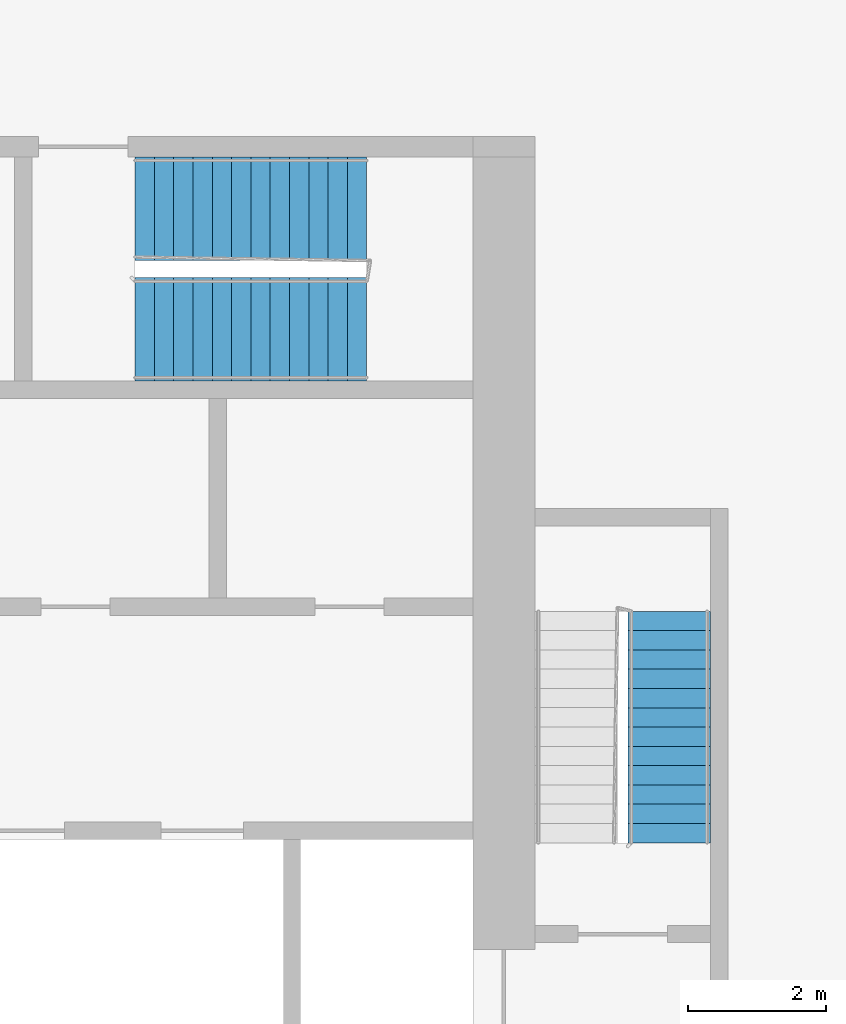
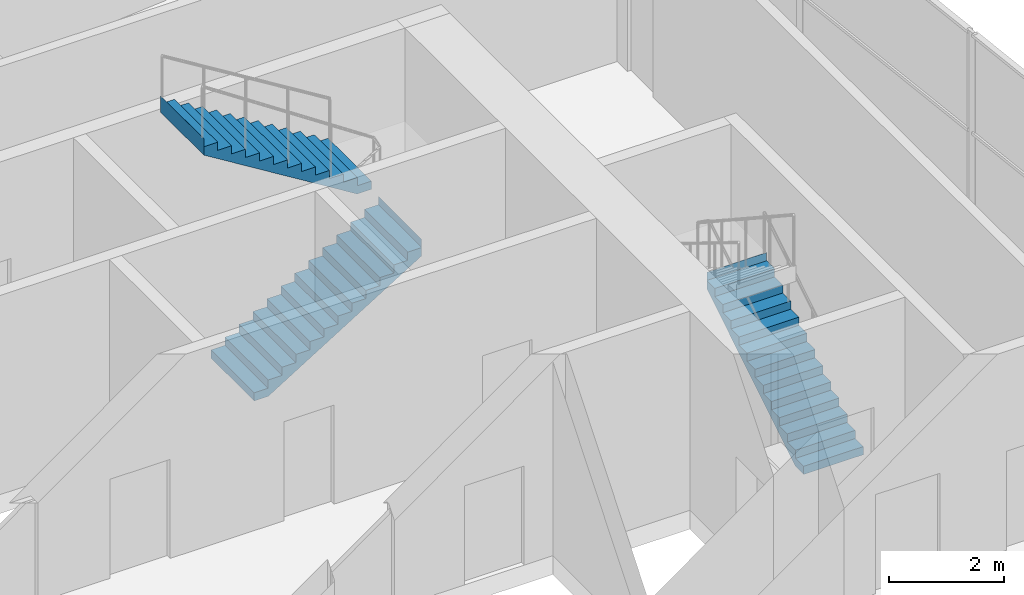
# One storey, part 20 of 21: 3 stair flights, 2 elements without a shape of their own.
"""IFC4 building model written with IfcOpenShell, lengths in metres."""

from ifc_helpers import new_model, si_unit, direction, frame, origin, place, context, subcontext, project, spatial, faceted_brep, material, type_object, element, aggregate, save


model = new_model("IFC4")

# Units and contexts
model_context = context("Model", 3, precision=1e-05, world=origin(), true_north=direction((0.0, 1.0)))
body_context = subcontext(model_context, "Body", "Model", "MODEL_VIEW")
ifc_project = project(units=[si_unit("LENGTHUNIT", "METRE"), si_unit("AREAUNIT", "SQUARE_METRE"), si_unit("VOLUMEUNIT", "CUBIC_METRE"), si_unit("PLANEANGLEUNIT", "RADIAN"), si_unit("MASSUNIT", "GRAM", prefix="KILO")], contexts=[model_context])

# Site, building, storey
site_placement = place(None, origin())
site = spatial("IfcSite", under=ifc_project, at=site_placement, CompositionType="ELEMENT")
building_placement = place(site_placement, origin())
building = spatial("IfcBuilding", under=site, at=building_placement, Name="Kajstack Hotel Tower", CompositionType="ELEMENT")
storey_placement = place(building_placement, frame((0.0, 0.0, 162.39990234375)))
storey = spatial("IfcBuildingStorey", under=building, at=storey_placement, Name="L37", CompositionType="ELEMENT", Elevation=162.39990234375)

# Stair, stair flight
ifc_material = material(Name="Concrete C40/50", Category="concrete")
stair_type_1 = type_object("IfcStairType", Name="Exit stair 1200", PredefinedType="HALF_TURN_STAIR", material=ifc_material)
stair_1_placement = place(storey_placement, origin())
stair_1 = element("IfcStair", 1, at=stair_1_placement, inside=storey, type_object=stair_type_1, Name="L37 stair E1", PredefinedType="HALF_TURN_STAIR")
stair_flight_type_1 = type_object("IfcStairFlightType", Name="Exit stair flight 1200", PredefinedType="STRAIGHT", material=ifc_material)
stair_flight_1_placement = place(storey_placement, frame((33.449951171875, 5.25, 0.0), z_axis=(0.0, 0.0, 1.0), x_axis=(0.0, 1.0, 0.0)))
stair_flight_1 = element("IfcStairFlight", 2, at=stair_flight_1_placement, type_object=stair_flight_type_1, Name="E1 flight 1", NumberOfRisers=13, NumberOfTreads=12, PredefinedType="STRAIGHT", RiserHeight=0.173076923, TreadLength=0.28, context=body_context, shape_type="Brep", body=[
    faceted_brep([(0.28564453125, -0.60009765625, 0.0), (3.360595703125, -0.60009765625, 1.900634765625), (3.360595703125, -0.60009765625, 2.25), (3.360107421875, -0.60009765625, 2.25), (3.360107421875, -0.60009765625, 2.076904296875), (3.080078125, -0.60009765625, 2.076904296875), (3.080078125, -0.60009765625, 1.90380859375), (2.800048828125, -0.60009765625, 1.90380859375), (2.800048828125, -0.60009765625, 1.730712890625), (2.52001953125, -0.60009765625, 1.730712890625), (2.52001953125, -0.60009765625, 1.5576171875), (2.239990234375, -0.60009765625, 1.5576171875), (2.239990234375, -0.60009765625, 1.384521484375), (1.9599609375, -0.60009765625, 1.384521484375), (1.9599609375, -0.60009765625, 1.21142578125), (1.679931640625, -0.60009765625, 1.21142578125), (1.679931640625, -0.60009765625, 1.03857421875), (1.39990234375, -0.60009765625, 1.03857421875), (1.39990234375, -0.60009765625, 0.865478515625), (1.1201171875, -0.60009765625, 0.865478515625), (1.1201171875, -0.60009765625, 0.6923828125), (0.840087890625, -0.60009765625, 0.6923828125), (0.840087890625, -0.60009765625, 0.519287109375), (0.56005859375, -0.60009765625, 0.519287109375), (0.56005859375, -0.60009765625, 0.34619140625), (0.280029296875, -0.60009765625, 0.34619140625), (0.280029296875, -0.60009765625, 0.173095703125), (-0.00048828125, -0.60009765625, 0.173095703125), (-0.00048828125, -0.60009765625, 0.0), (-0.00048828125, 0.60009765625, 0.0), (-0.00048828125, 0.60009765625, 0.173095703125), (0.280029296875, 0.60009765625, 0.173095703125), (0.280029296875, 0.60009765625, 0.34619140625), (0.56005859375, 0.60009765625, 0.34619140625), (0.56005859375, 0.60009765625, 0.519287109375), (0.840087890625, 0.60009765625, 0.519287109375), (0.840087890625, 0.60009765625, 0.6923828125), (1.1201171875, 0.60009765625, 0.6923828125), (1.1201171875, 0.60009765625, 0.865478515625), (1.39990234375, 0.60009765625, 0.865478515625), (1.39990234375, 0.60009765625, 1.03857421875), (1.679931640625, 0.60009765625, 1.03857421875), (1.679931640625, 0.60009765625, 1.21142578125), (1.9599609375, 0.60009765625, 1.21142578125), (1.9599609375, 0.60009765625, 1.384521484375), (2.239990234375, 0.60009765625, 1.384521484375), (2.239990234375, 0.60009765625, 1.5576171875), (2.52001953125, 0.60009765625, 1.5576171875), (2.52001953125, 0.60009765625, 1.730712890625), (2.800048828125, 0.60009765625, 1.730712890625), (2.800048828125, 0.60009765625, 1.90380859375), (3.080078125, 0.60009765625, 1.90380859375), (3.080078125, 0.60009765625, 2.076904296875), (3.360107421875, 0.60009765625, 2.076904296875), (3.360107421875, 0.60009765625, 2.25), (3.360595703125, 0.60009765625, 2.25), (3.360595703125, 0.60009765625, 1.900634765625), (0.28564453125, 0.60009765625, 0.0), (-0.00048828125, -0.300048828125, 0.173095703125), (-0.00048828125, 0.0, 0.173095703125), (-0.00048828125, 0.300048828125, 0.173095703125), (-0.00048828125, 0.300048828125, 0.0), (-0.00048828125, 0.0, 0.0), (-0.00048828125, -0.300048828125, 0.0), (0.280029296875, -0.300048828125, 0.173095703125), (0.280029296875, 0.0, 0.173095703125), (0.280029296875, 0.300048828125, 0.173095703125), (0.280029296875, -0.300048828125, 0.34619140625), (0.280029296875, 0.0, 0.34619140625), (0.280029296875, 0.300048828125, 0.34619140625), (0.56005859375, -0.300048828125, 0.34619140625), (0.56005859375, 0.0, 0.34619140625), (0.56005859375, 0.300048828125, 0.34619140625), (0.56005859375, -0.300048828125, 0.519287109375), (0.56005859375, 0.0, 0.519287109375), (0.56005859375, 0.300048828125, 0.519287109375), (0.840087890625, -0.300048828125, 0.519287109375), (0.840087890625, 0.0, 0.519287109375), (0.840087890625, 0.300048828125, 0.519287109375), (0.840087890625, -0.300048828125, 0.6923828125), (0.840087890625, 0.0, 0.6923828125), (0.840087890625, 0.300048828125, 0.6923828125), (1.1201171875, -0.300048828125, 0.6923828125), (1.1201171875, 0.0, 0.6923828125), (1.1201171875, 0.300048828125, 0.6923828125), (1.1201171875, -0.300048828125, 0.865478515625), (1.1201171875, 0.0, 0.865478515625), (1.1201171875, 0.300048828125, 0.865478515625), (1.39990234375, -0.300048828125, 0.865478515625), (1.39990234375, 0.0, 0.865478515625), (1.39990234375, 0.300048828125, 0.865478515625), (1.39990234375, -0.300048828125, 1.03857421875), (1.39990234375, 0.0, 1.03857421875), (1.39990234375, 0.300048828125, 1.03857421875), (1.679931640625, -0.300048828125, 1.03857421875), (1.679931640625, 0.0, 1.03857421875), (1.679931640625, 0.300048828125, 1.03857421875), (1.679931640625, -0.300048828125, 1.21142578125), (1.679931640625, 0.0, 1.21142578125), (1.679931640625, 0.300048828125, 1.21142578125), (1.9599609375, -0.300048828125, 1.21142578125), (1.9599609375, 0.0, 1.21142578125), (1.9599609375, 0.300048828125, 1.21142578125), (1.9599609375, -0.300048828125, 1.384521484375), (1.9599609375, 0.0, 1.384521484375), (1.9599609375, 0.300048828125, 1.384521484375), (2.239990234375, -0.300048828125, 1.384521484375), (2.239990234375, 0.0, 1.384521484375), (2.239990234375, 0.300048828125, 1.384521484375), (2.239990234375, -0.300048828125, 1.5576171875), (2.239990234375, 0.0, 1.5576171875), (2.239990234375, 0.300048828125, 1.5576171875), (2.52001953125, -0.300048828125, 1.5576171875), (2.52001953125, 0.0, 1.5576171875), (2.52001953125, 0.300048828125, 1.5576171875), (2.52001953125, -0.300048828125, 1.730712890625), (2.52001953125, 0.0, 1.730712890625), (2.52001953125, 0.300048828125, 1.730712890625), (2.800048828125, -0.300048828125, 1.730712890625), (2.800048828125, 0.0, 1.730712890625), (2.800048828125, 0.300048828125, 1.730712890625), (2.800048828125, -0.300048828125, 1.90380859375), (2.800048828125, 0.0, 1.90380859375), (2.800048828125, 0.300048828125, 1.90380859375), (3.080078125, -0.300048828125, 1.90380859375), (3.080078125, 0.0, 1.90380859375), (3.080078125, 0.300048828125, 1.90380859375), (3.080078125, -0.300048828125, 2.076904296875), (3.080078125, 0.0, 2.076904296875), (3.080078125, 0.300048828125, 2.076904296875), (3.360107421875, -0.300048828125, 2.076904296875), (3.360107421875, 0.0, 2.076904296875), (3.360107421875, 0.300048828125, 2.076904296875), (3.360107421875, -0.300048828125, 2.25), (3.360107421875, 0.0, 2.25), (3.360107421875, 0.300048828125, 2.25), (3.360595703125, -0.300048828125, 2.25), (3.360595703125, 0.0, 2.25), (3.360595703125, 0.300048828125, 2.25), (3.360595703125, -0.300048828125, 1.900634765625), (3.360595703125, 0.0, 1.900634765625), (3.360595703125, 0.300048828125, 1.900634765625), (0.28564453125, -0.300048828125, 0.0), (0.28564453125, 0.0, 0.0), (0.28564453125, 0.300048828125, 0.0)], [[[0, 1, 2, 3, 4, 5, 6, 7, 8, 9, 10, 11, 12, 13, 14, 15, 16, 17, 18, 19, 20, 21, 22, 23, 24, 25, 26, 27, 28]], [[29, 30, 31, 32, 33, 34, 35, 36, 37, 38, 39, 40, 41, 42, 43, 44, 45, 46, 47, 48, 49, 50, 51, 52, 53, 54, 55, 56, 57]], [[27, 58, 59, 60, 30, 29, 61, 62, 63, 28]], [[26, 64, 65, 66, 31, 30, 60, 59, 58, 27]], [[25, 67, 68, 69, 32, 31, 66, 65, 64, 26]], [[24, 70, 71, 72, 33, 32, 69, 68, 67, 25]], [[23, 73, 74, 75, 34, 33, 72, 71, 70, 24]], [[22, 76, 77, 78, 35, 34, 75, 74, 73, 23]], [[21, 79, 80, 81, 36, 35, 78, 77, 76, 22]], [[20, 82, 83, 84, 37, 36, 81, 80, 79, 21]], [[19, 85, 86, 87, 38, 37, 84, 83, 82, 20]], [[18, 88, 89, 90, 39, 38, 87, 86, 85, 19]], [[17, 91, 92, 93, 40, 39, 90, 89, 88, 18]], [[16, 94, 95, 96, 41, 40, 93, 92, 91, 17]], [[15, 97, 98, 99, 42, 41, 96, 95, 94, 16]], [[14, 100, 101, 102, 43, 42, 99, 98, 97, 15]], [[13, 103, 104, 105, 44, 43, 102, 101, 100, 14]], [[12, 106, 107, 108, 45, 44, 105, 104, 103, 13]], [[11, 109, 110, 111, 46, 45, 108, 107, 106, 12]], [[10, 112, 113, 114, 47, 46, 111, 110, 109, 11]], [[9, 115, 116, 117, 48, 47, 114, 113, 112, 10]], [[8, 118, 119, 120, 49, 48, 117, 116, 115, 9]], [[7, 121, 122, 123, 50, 49, 120, 119, 118, 8]], [[6, 124, 125, 126, 51, 50, 123, 122, 121, 7]], [[5, 127, 128, 129, 52, 51, 126, 125, 124, 6]], [[4, 130, 131, 132, 53, 52, 129, 128, 127, 5]], [[3, 133, 134, 135, 54, 53, 132, 131, 130, 4]], [[2, 136, 137, 138, 55, 54, 135, 134, 133, 3]], [[1, 139, 140, 141, 56, 55, 138, 137, 136, 2]], [[0, 142, 143, 144, 57, 56, 141, 140, 139, 1]], [[28, 63, 62, 61, 29, 57, 144, 143, 142, 0]]]),
])
aggregate(stair_1, [stair_flight_1])

# Stair, stair flights
stair_type_2 = type_object("IfcStairType", Name="Exit stair 1500", PredefinedType="HALF_TURN_STAIR", material=ifc_material)
stair_2_placement = place(storey_placement, origin())
stair_2 = element("IfcStair", 3, at=stair_2_placement, inside=storey, type_object=stair_type_2, Name="L37 stair E3", PredefinedType="HALF_TURN_STAIR")
stair_flight_type_2 = type_object("IfcStairFlightType", Name="Exit stair flight 1500", PredefinedType="STRAIGHT", material=ifc_material)
stair_flight_2_placement = place(storey_placement, frame((25.699951171875, 12.699951171875, 0.0), z_axis=(0.0, 0.0, 1.0), x_axis=(1.0, 0.0, 0.0)))
stair_flight_2 = element("IfcStairFlight", 4, at=stair_flight_2_placement, type_object=stair_flight_type_2, Name="E3 flight 1", NumberOfRisers=13, NumberOfTreads=12, PredefinedType="STRAIGHT", RiserHeight=0.173076923, TreadLength=0.28, context=body_context, shape_type="Brep", body=[
    faceted_brep([(0.28564453125, -0.75, 0.0), (3.360595703125, -0.75, 1.900634765625), (3.360595703125, -0.75, 2.25), (3.360107421875, -0.75, 2.25), (3.360107421875, -0.75, 2.076904296875), (3.080078125, -0.75, 2.076904296875), (3.080078125, -0.75, 1.90380859375), (2.800048828125, -0.75, 1.90380859375), (2.800048828125, -0.75, 1.730712890625), (2.52001953125, -0.75, 1.730712890625), (2.52001953125, -0.75, 1.5576171875), (2.239990234375, -0.75, 1.5576171875), (2.239990234375, -0.75, 1.384521484375), (1.9599609375, -0.75, 1.384521484375), (1.9599609375, -0.75, 1.21142578125), (1.679931640625, -0.75, 1.21142578125), (1.679931640625, -0.75, 1.03857421875), (1.39990234375, -0.75, 1.03857421875), (1.39990234375, -0.75, 0.865478515625), (1.1201171875, -0.75, 0.865478515625), (1.1201171875, -0.75, 0.6923828125), (0.840087890625, -0.75, 0.6923828125), (0.840087890625, -0.75, 0.519287109375), (0.56005859375, -0.75, 0.519287109375), (0.56005859375, -0.75, 0.34619140625), (0.280029296875, -0.75, 0.34619140625), (0.280029296875, -0.75, 0.173095703125), (-0.00048828125, -0.75, 0.173095703125), (-0.00048828125, -0.75, 0.0), (-0.00048828125, 0.75, 0.0), (-0.00048828125, 0.75, 0.173095703125), (0.280029296875, 0.75, 0.173095703125), (0.280029296875, 0.75, 0.34619140625), (0.56005859375, 0.75, 0.34619140625), (0.56005859375, 0.75, 0.519287109375), (0.840087890625, 0.75, 0.519287109375), (0.840087890625, 0.75, 0.6923828125), (1.1201171875, 0.75, 0.6923828125), (1.1201171875, 0.75, 0.865478515625), (1.39990234375, 0.75, 0.865478515625), (1.39990234375, 0.75, 1.03857421875), (1.679931640625, 0.75, 1.03857421875), (1.679931640625, 0.75, 1.21142578125), (1.9599609375, 0.75, 1.21142578125), (1.9599609375, 0.75, 1.384521484375), (2.239990234375, 0.75, 1.384521484375), (2.239990234375, 0.75, 1.5576171875), (2.52001953125, 0.75, 1.5576171875), (2.52001953125, 0.75, 1.730712890625), (2.800048828125, 0.75, 1.730712890625), (2.800048828125, 0.75, 1.90380859375), (3.080078125, 0.75, 1.90380859375), (3.080078125, 0.75, 2.076904296875), (3.360107421875, 0.75, 2.076904296875), (3.360107421875, 0.75, 2.25), (3.360595703125, 0.75, 2.25), (3.360595703125, 0.75, 1.900634765625), (0.28564453125, 0.75, 0.0), (-0.00048828125, -0.375, 0.173095703125), (-0.00048828125, 0.0, 0.173095703125), (-0.00048828125, 0.375, 0.173095703125), (-0.00048828125, 0.375, 0.0), (-0.00048828125, 0.0, 0.0), (-0.00048828125, -0.375, 0.0), (0.280029296875, -0.375, 0.173095703125), (0.280029296875, 0.0, 0.173095703125), (0.280029296875, 0.375, 0.173095703125), (0.280029296875, -0.375, 0.34619140625), (0.280029296875, 0.0, 0.34619140625), (0.280029296875, 0.375, 0.34619140625), (0.56005859375, -0.375, 0.34619140625), (0.56005859375, 0.0, 0.34619140625), (0.56005859375, 0.375, 0.34619140625), (0.56005859375, -0.375, 0.519287109375), (0.56005859375, 0.0, 0.519287109375), (0.56005859375, 0.375, 0.519287109375), (0.840087890625, -0.375, 0.519287109375), (0.840087890625, 0.0, 0.519287109375), (0.840087890625, 0.375, 0.519287109375), (0.840087890625, -0.375, 0.6923828125), (0.840087890625, 0.0, 0.6923828125), (0.840087890625, 0.375, 0.6923828125), (1.1201171875, -0.375, 0.6923828125), (1.1201171875, 0.0, 0.6923828125), (1.1201171875, 0.375, 0.6923828125), (1.1201171875, -0.375, 0.865478515625), (1.1201171875, 0.0, 0.865478515625), (1.1201171875, 0.375, 0.865478515625), (1.39990234375, -0.375, 0.865478515625), (1.39990234375, 0.0, 0.865478515625), (1.39990234375, 0.375, 0.865478515625), (1.39990234375, -0.375, 1.03857421875), (1.39990234375, 0.0, 1.03857421875), (1.39990234375, 0.375, 1.03857421875), (1.679931640625, -0.375, 1.03857421875), (1.679931640625, 0.0, 1.03857421875), (1.679931640625, 0.375, 1.03857421875), (1.679931640625, -0.375, 1.21142578125), (1.679931640625, 0.0, 1.21142578125), (1.679931640625, 0.375, 1.21142578125), (1.9599609375, -0.375, 1.21142578125), (1.9599609375, 0.0, 1.21142578125), (1.9599609375, 0.375, 1.21142578125), (1.9599609375, -0.375, 1.384521484375), (1.9599609375, 0.0, 1.384521484375), (1.9599609375, 0.375, 1.384521484375), (2.239990234375, -0.375, 1.384521484375), (2.239990234375, 0.0, 1.384521484375), (2.239990234375, 0.375, 1.384521484375), (2.239990234375, -0.375, 1.5576171875), (2.239990234375, 0.0, 1.5576171875), (2.239990234375, 0.375, 1.5576171875), (2.52001953125, -0.375, 1.5576171875), (2.52001953125, 0.0, 1.5576171875), (2.52001953125, 0.375, 1.5576171875), (2.52001953125, -0.375, 1.730712890625), (2.52001953125, 0.0, 1.730712890625), (2.52001953125, 0.375, 1.730712890625), (2.800048828125, -0.375, 1.730712890625), (2.800048828125, 0.0, 1.730712890625), (2.800048828125, 0.375, 1.730712890625), (2.800048828125, -0.375, 1.90380859375), (2.800048828125, 0.0, 1.90380859375), (2.800048828125, 0.375, 1.90380859375), (3.080078125, -0.375, 1.90380859375), (3.080078125, 0.0, 1.90380859375), (3.080078125, 0.375, 1.90380859375), (3.080078125, -0.375, 2.076904296875), (3.080078125, 0.0, 2.076904296875), (3.080078125, 0.375, 2.076904296875), (3.360107421875, -0.375, 2.076904296875), (3.360107421875, 0.0, 2.076904296875), (3.360107421875, 0.375, 2.076904296875), (3.360107421875, -0.375, 2.25), (3.360107421875, 0.0, 2.25), (3.360107421875, 0.375, 2.25), (3.360595703125, -0.375, 2.25), (3.360595703125, 0.0, 2.25), (3.360595703125, 0.375, 2.25), (3.360595703125, -0.375, 1.900634765625), (3.360595703125, 0.0, 1.900634765625), (3.360595703125, 0.375, 1.900634765625), (0.28564453125, -0.375, 0.0), (0.28564453125, 0.0, 0.0), (0.28564453125, 0.375, 0.0)], [[[0, 1, 2, 3, 4, 5, 6, 7, 8, 9, 10, 11, 12, 13, 14, 15, 16, 17, 18, 19, 20, 21, 22, 23, 24, 25, 26, 27, 28]], [[29, 30, 31, 32, 33, 34, 35, 36, 37, 38, 39, 40, 41, 42, 43, 44, 45, 46, 47, 48, 49, 50, 51, 52, 53, 54, 55, 56, 57]], [[27, 58, 59, 60, 30, 29, 61, 62, 63, 28]], [[26, 64, 65, 66, 31, 30, 60, 59, 58, 27]], [[25, 67, 68, 69, 32, 31, 66, 65, 64, 26]], [[24, 70, 71, 72, 33, 32, 69, 68, 67, 25]], [[23, 73, 74, 75, 34, 33, 72, 71, 70, 24]], [[22, 76, 77, 78, 35, 34, 75, 74, 73, 23]], [[21, 79, 80, 81, 36, 35, 78, 77, 76, 22]], [[20, 82, 83, 84, 37, 36, 81, 80, 79, 21]], [[19, 85, 86, 87, 38, 37, 84, 83, 82, 20]], [[18, 88, 89, 90, 39, 38, 87, 86, 85, 19]], [[17, 91, 92, 93, 40, 39, 90, 89, 88, 18]], [[16, 94, 95, 96, 41, 40, 93, 92, 91, 17]], [[15, 97, 98, 99, 42, 41, 96, 95, 94, 16]], [[14, 100, 101, 102, 43, 42, 99, 98, 97, 15]], [[13, 103, 104, 105, 44, 43, 102, 101, 100, 14]], [[12, 106, 107, 108, 45, 44, 105, 104, 103, 13]], [[11, 109, 110, 111, 46, 45, 108, 107, 106, 12]], [[10, 112, 113, 114, 47, 46, 111, 110, 109, 11]], [[9, 115, 116, 117, 48, 47, 114, 113, 112, 10]], [[8, 118, 119, 120, 49, 48, 117, 116, 115, 9]], [[7, 121, 122, 123, 50, 49, 120, 119, 118, 8]], [[6, 124, 125, 126, 51, 50, 123, 122, 121, 7]], [[5, 127, 128, 129, 52, 51, 126, 125, 124, 6]], [[4, 130, 131, 132, 53, 52, 129, 128, 127, 5]], [[3, 133, 134, 135, 54, 53, 132, 131, 130, 4]], [[2, 136, 137, 138, 55, 54, 135, 134, 133, 3]], [[1, 139, 140, 141, 56, 55, 138, 137, 136, 2]], [[0, 142, 143, 144, 57, 56, 141, 140, 139, 1]], [[28, 63, 62, 61, 29, 57, 144, 143, 142, 0]]]),
])
stair_flight_3_placement = place(storey_placement, frame((29.06005859375, 14.449951171875, 2.25), z_axis=(0.0, 0.0, 1.0), x_axis=(-1.0, 0.0, 0.0)))
stair_flight_3 = element("IfcStairFlight", 5, at=stair_flight_3_placement, type_object=stair_flight_type_2, Name="E3 flight 2", NumberOfRisers=13, NumberOfTreads=12, PredefinedType="STRAIGHT", RiserHeight=0.173076923, TreadLength=0.28, context=body_context, shape_type="Brep", body=[
    faceted_brep([(0.28564453125, -0.75, 0.0), (3.360595703125, -0.75, 1.900634765625), (3.360595703125, -0.75, 2.25), (3.360107421875, -0.75, 2.25), (3.360107421875, -0.75, 2.076904296875), (3.080078125, -0.75, 2.076904296875), (3.080078125, -0.75, 1.90380859375), (2.800048828125, -0.75, 1.90380859375), (2.800048828125, -0.75, 1.730712890625), (2.52001953125, -0.75, 1.730712890625), (2.52001953125, -0.75, 1.5576171875), (2.239990234375, -0.75, 1.5576171875), (2.239990234375, -0.75, 1.384521484375), (1.9599609375, -0.75, 1.384521484375), (1.9599609375, -0.75, 1.21142578125), (1.679931640625, -0.75, 1.21142578125), (1.679931640625, -0.75, 1.03857421875), (1.39990234375, -0.75, 1.03857421875), (1.39990234375, -0.75, 0.865478515625), (1.1201171875, -0.75, 0.865478515625), (1.1201171875, -0.75, 0.6923828125), (0.840087890625, -0.75, 0.6923828125), (0.840087890625, -0.75, 0.519287109375), (0.56005859375, -0.75, 0.519287109375), (0.56005859375, -0.75, 0.34619140625), (0.280029296875, -0.75, 0.34619140625), (0.280029296875, -0.75, 0.173095703125), (-0.00048828125, -0.75, 0.173095703125), (-0.00048828125, -0.75, 0.0), (-0.00048828125, 0.75, 0.0), (-0.00048828125, 0.75, 0.173095703125), (0.280029296875, 0.75, 0.173095703125), (0.280029296875, 0.75, 0.34619140625), (0.56005859375, 0.75, 0.34619140625), (0.56005859375, 0.75, 0.519287109375), (0.840087890625, 0.75, 0.519287109375), (0.840087890625, 0.75, 0.6923828125), (1.1201171875, 0.75, 0.6923828125), (1.1201171875, 0.75, 0.865478515625), (1.39990234375, 0.75, 0.865478515625), (1.39990234375, 0.75, 1.03857421875), (1.679931640625, 0.75, 1.03857421875), (1.679931640625, 0.75, 1.21142578125), (1.9599609375, 0.75, 1.21142578125), (1.9599609375, 0.75, 1.384521484375), (2.239990234375, 0.75, 1.384521484375), (2.239990234375, 0.75, 1.5576171875), (2.52001953125, 0.75, 1.5576171875), (2.52001953125, 0.75, 1.730712890625), (2.800048828125, 0.75, 1.730712890625), (2.800048828125, 0.75, 1.90380859375), (3.080078125, 0.75, 1.90380859375), (3.080078125, 0.75, 2.076904296875), (3.360107421875, 0.75, 2.076904296875), (3.360107421875, 0.75, 2.25), (3.360595703125, 0.75, 2.25), (3.360595703125, 0.75, 1.900634765625), (0.28564453125, 0.75, 0.0), (-0.00048828125, -0.375, 0.173095703125), (-0.00048828125, 0.0, 0.173095703125), (-0.00048828125, 0.375, 0.173095703125), (-0.00048828125, 0.375, 0.0), (-0.00048828125, 0.0, 0.0), (-0.00048828125, -0.375, 0.0), (0.280029296875, -0.375, 0.173095703125), (0.280029296875, 0.0, 0.173095703125), (0.280029296875, 0.375, 0.173095703125), (0.280029296875, -0.375, 0.34619140625), (0.280029296875, 0.0, 0.34619140625), (0.280029296875, 0.375, 0.34619140625), (0.56005859375, -0.375, 0.34619140625), (0.56005859375, 0.0, 0.34619140625), (0.56005859375, 0.375, 0.34619140625), (0.56005859375, -0.375, 0.519287109375), (0.56005859375, 0.0, 0.519287109375), (0.56005859375, 0.375, 0.519287109375), (0.840087890625, -0.375, 0.519287109375), (0.840087890625, 0.0, 0.519287109375), (0.840087890625, 0.375, 0.519287109375), (0.840087890625, -0.375, 0.6923828125), (0.840087890625, 0.0, 0.6923828125), (0.840087890625, 0.375, 0.6923828125), (1.1201171875, -0.375, 0.6923828125), (1.1201171875, 0.0, 0.6923828125), (1.1201171875, 0.375, 0.6923828125), (1.1201171875, -0.375, 0.865478515625), (1.1201171875, 0.0, 0.865478515625), (1.1201171875, 0.375, 0.865478515625), (1.39990234375, -0.375, 0.865478515625), (1.39990234375, 0.0, 0.865478515625), (1.39990234375, 0.375, 0.865478515625), (1.39990234375, -0.375, 1.03857421875), (1.39990234375, 0.0, 1.03857421875), (1.39990234375, 0.375, 1.03857421875), (1.679931640625, -0.375, 1.03857421875), (1.679931640625, 0.0, 1.03857421875), (1.679931640625, 0.375, 1.03857421875), (1.679931640625, -0.375, 1.21142578125), (1.679931640625, 0.0, 1.21142578125), (1.679931640625, 0.375, 1.21142578125), (1.9599609375, -0.375, 1.21142578125), (1.9599609375, 0.0, 1.21142578125), (1.9599609375, 0.375, 1.21142578125), (1.9599609375, -0.375, 1.384521484375), (1.9599609375, 0.0, 1.384521484375), (1.9599609375, 0.375, 1.384521484375), (2.239990234375, -0.375, 1.384521484375), (2.239990234375, 0.0, 1.384521484375), (2.239990234375, 0.375, 1.384521484375), (2.239990234375, -0.375, 1.5576171875), (2.239990234375, 0.0, 1.5576171875), (2.239990234375, 0.375, 1.5576171875), (2.52001953125, -0.375, 1.5576171875), (2.52001953125, 0.0, 1.5576171875), (2.52001953125, 0.375, 1.5576171875), (2.52001953125, -0.375, 1.730712890625), (2.52001953125, 0.0, 1.730712890625), (2.52001953125, 0.375, 1.730712890625), (2.800048828125, -0.375, 1.730712890625), (2.800048828125, 0.0, 1.730712890625), (2.800048828125, 0.375, 1.730712890625), (2.800048828125, -0.375, 1.90380859375), (2.800048828125, 0.0, 1.90380859375), (2.800048828125, 0.375, 1.90380859375), (3.080078125, -0.375, 1.90380859375), (3.080078125, 0.0, 1.90380859375), (3.080078125, 0.375, 1.90380859375), (3.080078125, -0.375, 2.076904296875), (3.080078125, 0.0, 2.076904296875), (3.080078125, 0.375, 2.076904296875), (3.360107421875, -0.375, 2.076904296875), (3.360107421875, 0.0, 2.076904296875), (3.360107421875, 0.375, 2.076904296875), (3.360107421875, -0.375, 2.25), (3.360107421875, 0.0, 2.25), (3.360107421875, 0.375, 2.25), (3.360595703125, -0.375, 2.25), (3.360595703125, 0.0, 2.25), (3.360595703125, 0.375, 2.25), (3.360595703125, -0.375, 1.900634765625), (3.360595703125, 0.0, 1.900634765625), (3.360595703125, 0.375, 1.900634765625), (0.28564453125, -0.375, 0.0), (0.28564453125, 0.0, 0.0), (0.28564453125, 0.375, 0.0)], [[[0, 1, 2, 3, 4, 5, 6, 7, 8, 9, 10, 11, 12, 13, 14, 15, 16, 17, 18, 19, 20, 21, 22, 23, 24, 25, 26, 27, 28]], [[29, 30, 31, 32, 33, 34, 35, 36, 37, 38, 39, 40, 41, 42, 43, 44, 45, 46, 47, 48, 49, 50, 51, 52, 53, 54, 55, 56, 57]], [[27, 58, 59, 60, 30, 29, 61, 62, 63, 28]], [[26, 64, 65, 66, 31, 30, 60, 59, 58, 27]], [[25, 67, 68, 69, 32, 31, 66, 65, 64, 26]], [[24, 70, 71, 72, 33, 32, 69, 68, 67, 25]], [[23, 73, 74, 75, 34, 33, 72, 71, 70, 24]], [[22, 76, 77, 78, 35, 34, 75, 74, 73, 23]], [[21, 79, 80, 81, 36, 35, 78, 77, 76, 22]], [[20, 82, 83, 84, 37, 36, 81, 80, 79, 21]], [[19, 85, 86, 87, 38, 37, 84, 83, 82, 20]], [[18, 88, 89, 90, 39, 38, 87, 86, 85, 19]], [[17, 91, 92, 93, 40, 39, 90, 89, 88, 18]], [[16, 94, 95, 96, 41, 40, 93, 92, 91, 17]], [[15, 97, 98, 99, 42, 41, 96, 95, 94, 16]], [[14, 100, 101, 102, 43, 42, 99, 98, 97, 15]], [[13, 103, 104, 105, 44, 43, 102, 101, 100, 14]], [[12, 106, 107, 108, 45, 44, 105, 104, 103, 13]], [[11, 109, 110, 111, 46, 45, 108, 107, 106, 12]], [[10, 112, 113, 114, 47, 46, 111, 110, 109, 11]], [[9, 115, 116, 117, 48, 47, 114, 113, 112, 10]], [[8, 118, 119, 120, 49, 48, 117, 116, 115, 9]], [[7, 121, 122, 123, 50, 49, 120, 119, 118, 8]], [[6, 124, 125, 126, 51, 50, 123, 122, 121, 7]], [[5, 127, 128, 129, 52, 51, 126, 125, 124, 6]], [[4, 130, 131, 132, 53, 52, 129, 128, 127, 5]], [[3, 133, 134, 135, 54, 53, 132, 131, 130, 4]], [[2, 136, 137, 138, 55, 54, 135, 134, 133, 3]], [[1, 139, 140, 141, 56, 55, 138, 137, 136, 2]], [[0, 142, 143, 144, 57, 56, 141, 140, 139, 1]], [[28, 63, 62, 61, 29, 57, 144, 143, 142, 0]]]),
])
aggregate(stair_2, [stair_flight_2, stair_flight_3])

save(model, "model.ifc")
